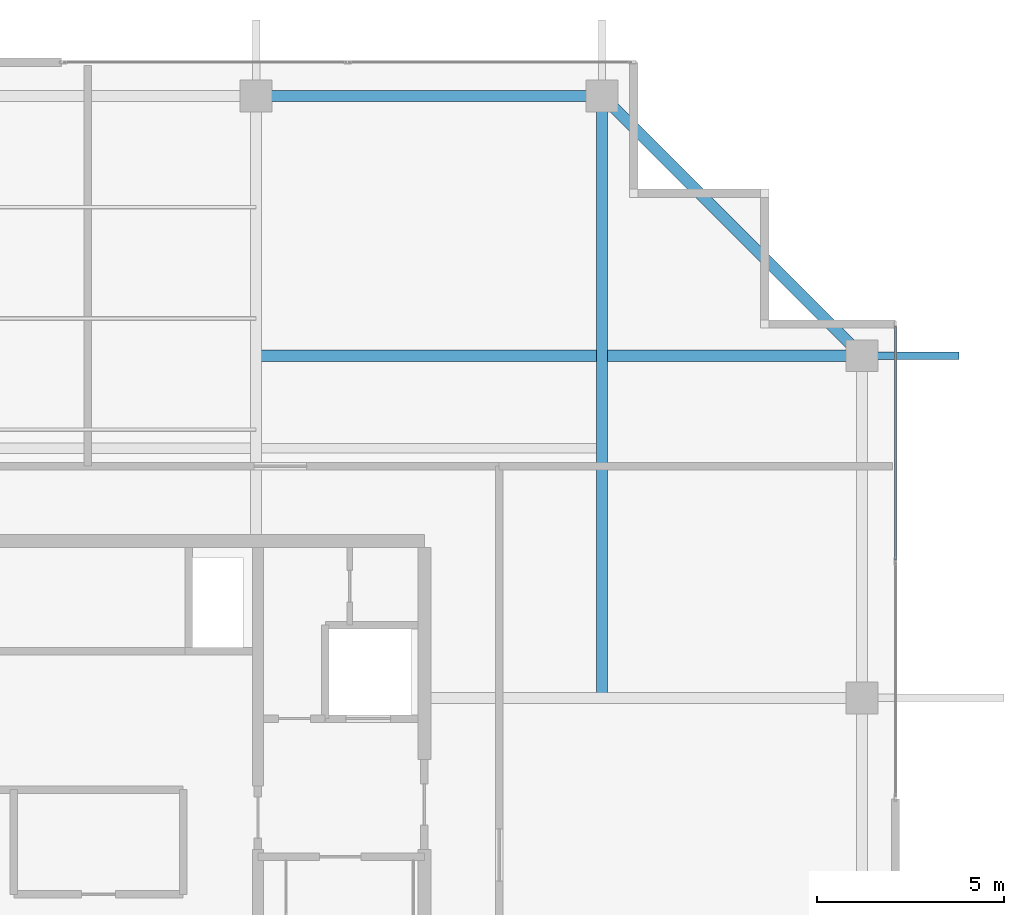
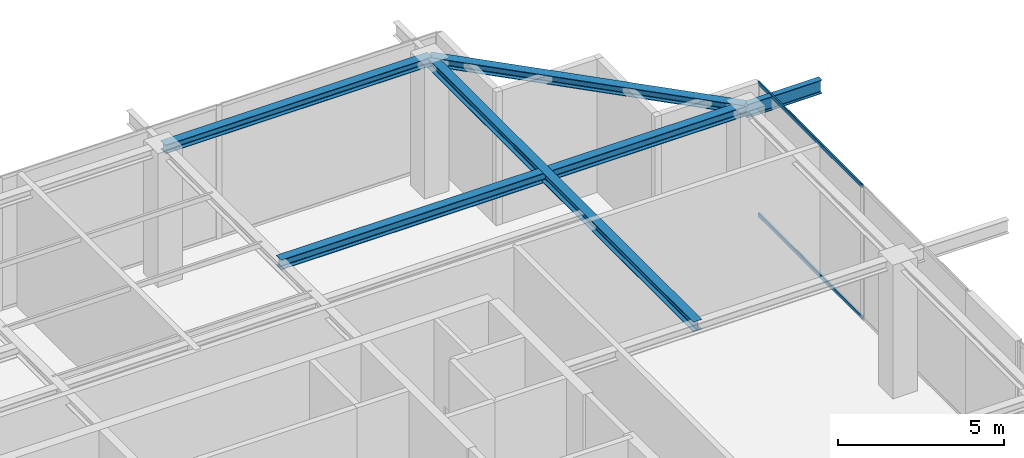
# One storey, part 22 of 27: 5 beams, 2 members, 1 element without a shape of its own.
"""IFC4 building model written with IfcOpenShell, lengths in metres."""

from ifc_helpers import new_model, si_unit, direction, frame, origin, origin_2d, place, context, subcontext, project, spatial, hollow_rectangle, i_section, extrude, source, transform, mapped, material, layer, layer_set, material_profile, profile_set, type_object, element, aggregate, save


model = new_model("IFC4")

# Units and contexts
model_context = context("Model", 3, precision=1e-05, world=origin(), true_north=direction((0.0, 1.0)))
body_context = subcontext(model_context, "Body", "Model", "MODEL_VIEW")
ifc_project = project(units=[si_unit("LENGTHUNIT", "METRE"), si_unit("AREAUNIT", "SQUARE_METRE"), si_unit("VOLUMEUNIT", "CUBIC_METRE"), si_unit("PLANEANGLEUNIT", "RADIAN"), si_unit("MASSUNIT", "GRAM", prefix="KILO")], contexts=[model_context])

# Site, building, storey
site_placement = place(None, origin())
site = spatial("IfcSite", under=ifc_project, at=site_placement, CompositionType="ELEMENT")
building_placement = place(site_placement, origin())
building = spatial("IfcBuilding", under=site, at=building_placement, Name="Serunith Strait Residences", CompositionType="ELEMENT")
storey_placement = place(building_placement, frame((0.0, 0.0, 365.75)))
storey = spatial("IfcBuildingStorey", under=building, at=storey_placement, Name="L89", CompositionType="ELEMENT", Elevation=365.75)

# Beams
ifc_material_1 = material(Name="Steel S355J2", Category="steel")
ifc_material_profile_1 = material_profile(ifc_material_1, i_section(OverallWidth=0.300048828125, OverallDepth=0.360107421875, WebThickness=0.012451171875, FlangeThickness=0.0224609375, FilletRadius=0.027099609375, at=origin_2d()), Name="HEB 360")
ifc_profile_set_1 = profile_set([ifc_material_profile_1], Name="Steel S355J2")
beam_type_1 = type_object("IfcBeamType", Name="BM-HEB360", PredefinedType="BEAM", material=ifc_profile_set_1)
shared_shape_1 = source(origin(), body_context, "Body", "SweptSolid", [
    extrude(i_section(OverallWidth=0.300048828125, OverallDepth=0.360107421875, WebThickness=0.012451171875, FlangeThickness=0.0224609375, FilletRadius=0.027099609375, at=origin_2d()), origin(), (0.0, 0.0, 1.0), 16.10009765625),
])
beam_1_placement = place(storey_placement, frame((46.14990234375, 29.39990234375, 4.717041015625), z_axis=(0.0, 1.0, 0.0), x_axis=(-1.0, 0.0, 0.0)))
element("IfcBeam", 1, at=beam_1_placement, inside=storey, type_object=beam_type_1, Name="L89 Orthogonal Corner Girder TC-N4", PredefinedType="BEAM", context=body_context, shape_type="MappedRepresentation", body=[
    mapped(shared_shape_1, transform((0.0, 0.0, 0.0), scale=1.0)),
])
shared_shape_2 = source(origin(), body_context, "Body", "SweptSolid", [
    extrude(i_section(OverallWidth=0.300048828125, OverallDepth=0.360107421875, WebThickness=0.012451171875, FlangeThickness=0.0224609375, FilletRadius=0.027099609375, at=origin_2d()), origin(), (0.0, 0.0, 1.0), 16.2001953125),
])
beam_2_placement = place(storey_placement, frame((36.89990234375, 38.550048828125, 4.717041015625), z_axis=(1.0, 0.0, 0.0), x_axis=(0.0, 1.0, 0.0)))
element("IfcBeam", 2, at=beam_2_placement, inside=storey, type_object=beam_type_1, Name="L89 Orthogonal Corner Girder TC-E4", PredefinedType="BEAM", context=body_context, shape_type="MappedRepresentation", body=[
    mapped(shared_shape_2, transform((0.0, 0.0, 0.0), scale=1.0)),
])
ifc_material_profile_2 = material_profile(ifc_material_1, i_section(OverallWidth=0.300048828125, OverallDepth=0.320068359375, WebThickness=0.011474609375, FlangeThickness=0.0205078125, FilletRadius=0.027099609375, at=origin_2d()), Name="HEB 320")
ifc_profile_set_2 = profile_set([ifc_material_profile_2], Name="Steel S355J2")
beam_type_2 = type_object("IfcBeamType", Name="BM-HEB320", PredefinedType="BEAM", material=ifc_profile_set_2)
shared_shape_3 = source(origin(), body_context, "Body", "SweptSolid", [
    extrude(i_section(OverallWidth=0.300048828125, OverallDepth=0.320068359375, WebThickness=0.011474609375, FlangeThickness=0.0205078125, FilletRadius=0.027099609375, at=origin_2d()), origin(), (0.0, 0.0, 1.0), 9.25),
])
beam_3_placement = place(storey_placement, frame((46.14990234375, 45.5, 4.737060546875), z_axis=(-1.0, 0.0, 0.0), x_axis=(0.0, -1.0, 0.0)))
element("IfcBeam", 3, at=beam_3_placement, inside=storey, type_object=beam_type_2, Name="L89 Perimeter Ring Beam 09", PredefinedType="BEAM", context=body_context, shape_type="MappedRepresentation", body=[
    mapped(shared_shape_3, transform((0.0, 0.0, 0.0), scale=1.0)),
])
shared_shape_4 = source(origin(), body_context, "Body", "SweptSolid", [
    extrude(i_section(OverallWidth=0.300048828125, OverallDepth=0.320068359375, WebThickness=0.011474609375, FlangeThickness=0.0205078125, FilletRadius=0.027099609375, at=origin_2d()), origin(), (0.0, 0.0, 1.0), 9.828857421875),
])
beam_4_placement = place(storey_placement, frame((53.10009765625, 38.550048828125, 4.737060546875), z_axis=(-0.707119200622, 0.707094361533, 0.0), x_axis=(-0.707094361533, -0.707119200622, 0.0)))
element("IfcBeam", 4, at=beam_4_placement, inside=storey, type_object=beam_type_2, Name="L89 Perimeter Ring Beam 08", PredefinedType="BEAM", context=body_context, shape_type="MappedRepresentation", body=[
    mapped(shared_shape_4, transform((0.0, 0.0, 0.0), scale=1.0)),
])
ifc_material_profile_3 = material_profile(ifc_material_1, i_section(OverallWidth=0.199951171875, OverallDepth=0.5, WebThickness=0.01025390625, FlangeThickness=0.01611328125, FilletRadius=0.02099609375, at=origin_2d()), Name="IPE 500")
ifc_profile_set_3 = profile_set([ifc_material_profile_3], Name="Steel S355J2")
beam_type_3 = type_object("IfcBeamType", Name="BM-IPE500", PredefinedType="JOIST", material=ifc_profile_set_3)
shared_shape_5 = source(origin(), body_context, "Body", "SweptSolid", [
    extrude(i_section(OverallWidth=0.199951171875, OverallDepth=0.5, WebThickness=0.01025390625, FlangeThickness=0.01611328125, FilletRadius=0.02099609375, at=origin_2d()), origin(), (0.0, 0.0, 1.0), 2.595458984375),
])
beam_5_placement = place(storey_placement, frame((53.10009765625, 38.550048828125, 4.64697265625), z_axis=(1.0, 0.0, 0.0), x_axis=(0.0, 1.0, 0.0)))
element("IfcBeam", 5, at=beam_5_placement, inside=storey, type_object=beam_type_3, Name="Crown Canopy Cantilever Rafter TC-E4", PredefinedType="JOIST", context=body_context, shape_type="MappedRepresentation", body=[
    mapped(shared_shape_5, transform((0.0, 0.0, 0.0), scale=1.0)),
])

# Curtain wall, members
ifc_material_2 = material(Name="Pale-Silver Anodised Aluminium", Category="aluminium")
ifc_layer = layer(ifc_material_2, 0.199951171875, Name="Pale-Silver Anodised Aluminium")
ifc_layer_set = layer_set([ifc_layer], Name="Pale-Silver Anodised Aluminium")
curtain_wall_type = type_object("IfcCurtainWallType", Name="CW-SYS7", PredefinedType="NOTDEFINED", material=ifc_layer_set)
curtain_wall_placement = place(storey_placement, origin())
curtain_wall = element("IfcCurtainWall", 6, at=curtain_wall_placement, inside=storey, type_object=curtain_wall_type, Name="L89 E Unitised Fritted Curtain Wall", PredefinedType="NOTDEFINED")
ifc_material_profile_4 = material_profile(ifc_material_2, hollow_rectangle(XDim=0.06005859375, YDim=0.139892578125, WallThickness=0.00341796875, InnerFilletRadius=0.00537109375, OuterFilletRadius=0.0087890625, at=origin_2d()), Name="ALU 140x60x3.5")
ifc_profile_set_4 = profile_set([ifc_material_profile_4], Name="Pale-Silver Anodised Aluminium")
member_type = type_object("IfcMemberType", Name="CW-SYS7-TRAN", PredefinedType="USERDEFINED", material=ifc_profile_set_4)
shared_shape_6 = source(origin(), body_context, "Body", "SweptSolid", [
    extrude(hollow_rectangle(XDim=0.06005859375, YDim=0.139892578125, WallThickness=0.00341796875, InnerFilletRadius=0.00537109375, OuterFilletRadius=0.0087890625, at=origin_2d()), origin(), (0.0, 0.0, 1.0), 6.241943359375),
])
member_1_placement = place(storey_placement, frame((54.0, 33.0859375, 0.030029296875), z_axis=(0.0, 1.0, 0.0), x_axis=(-1.0, 0.0, 0.0)))
member_1 = element("IfcMember", 7, at=member_1_placement, type_object=member_type, Name="CW-7 transom 2.1", ObjectType="TRANSOM", PredefinedType="USERDEFINED", context=body_context, shape_type="MappedRepresentation", body=[
    mapped(shared_shape_6, transform((0.0, 0.0, 0.0), scale=1.0)),
])
member_2_placement = place(storey_placement, frame((54.0, 33.0859375, 4.85498046875), z_axis=(0.0, 1.0, 0.0), x_axis=(-1.0, 0.0, 0.0)))
member_2 = element("IfcMember", 8, at=member_2_placement, type_object=member_type, Name="CW-7 transom 2.2", ObjectType="TRANSOM", PredefinedType="USERDEFINED", context=body_context, shape_type="MappedRepresentation", body=[
    mapped(shared_shape_6, transform((0.0, 0.0, 0.0), scale=1.0)),
])
aggregate(curtain_wall, [member_1, member_2])

save(model, "model.ifc")
